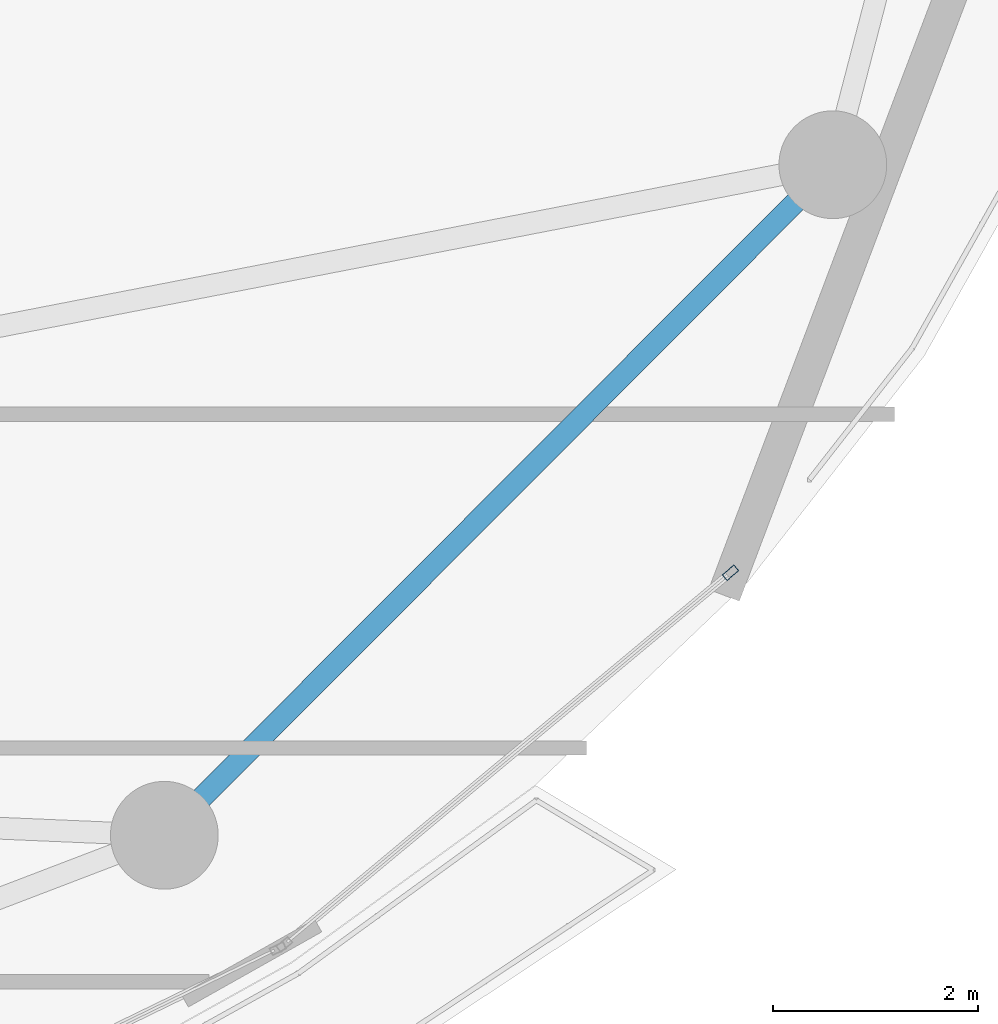
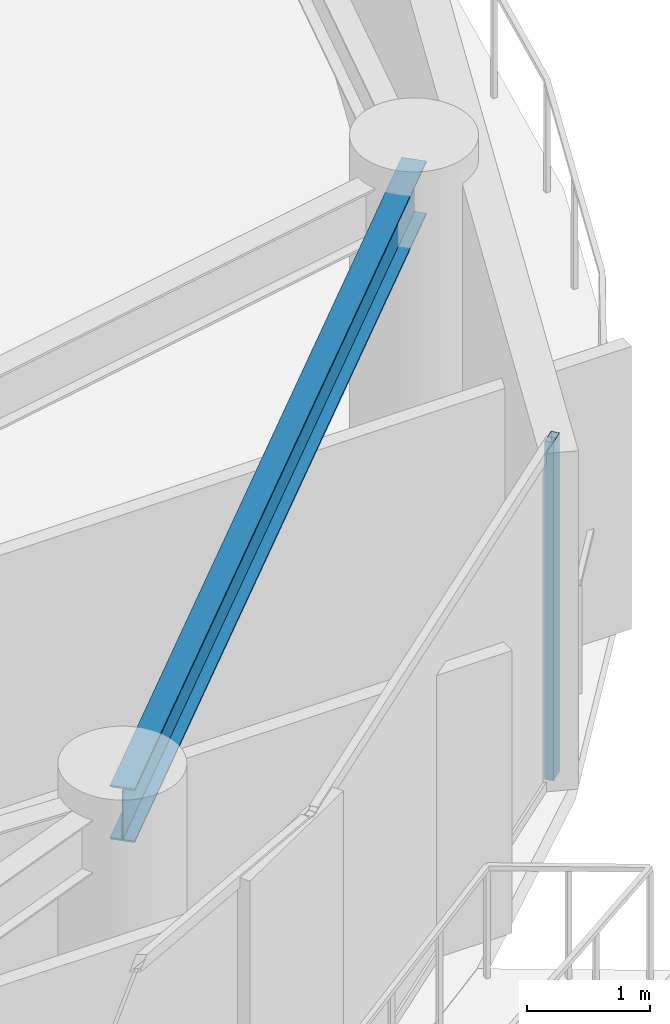
# One storey, part 13 of 29: 1 beam, 1 member, 1 element without a shape of its own.
"""IFC4 building model written with IfcOpenShell, lengths in metres."""

from ifc_helpers import new_model, si_unit, direction, frame, origin, origin_2d, place, context, subcontext, project, spatial, hollow_rectangle, i_section, extrude, material, layer, layer_set, material_profile, profile_set, type_object, element, aggregate, save


model = new_model("IFC4")

# Units and contexts
model_context = context("Model", 3, precision=1e-05, world=origin(), true_north=direction((0.0, 1.0)))
body_context = subcontext(model_context, "Body", "Model", "MODEL_VIEW")
ifc_project = project(units=[si_unit("LENGTHUNIT", "METRE"), si_unit("AREAUNIT", "SQUARE_METRE"), si_unit("VOLUMEUNIT", "CUBIC_METRE"), si_unit("PLANEANGLEUNIT", "RADIAN"), si_unit("MASSUNIT", "GRAM", prefix="KILO")], contexts=[model_context])

# Site, building, storey
site_placement = place(None, origin())
site = spatial("IfcSite", under=ifc_project, at=site_placement, CompositionType="ELEMENT")
building_placement = place(site_placement, origin())
building = spatial("IfcBuilding", under=site, at=building_placement, Name="Kazevale Care Tower and Concert Hall", CompositionType="ELEMENT")
storey_placement = place(building_placement, frame((0.0, 0.0, 213.60009765625)))
storey = spatial("IfcBuildingStorey", under=building, at=storey_placement, Name="L56", CompositionType="ELEMENT", Elevation=213.60009765625)

# Curtain wall, member
ifc_material_1 = material(Name="Aluminium 6063-T6 and Low-E Glass", Category="aluminium")
ifc_layer = layer(ifc_material_1, 0.179931640625)
ifc_layer_set = layer_set([ifc_layer], Name="Aluminium 6063-T6 and Low-E Glass")
curtain_wall_type = type_object("IfcCurtainWallType", Name="Sheltered Concave Balcony Curtain Wall CW-5", PredefinedType="NOTDEFINED", material=ifc_layer_set)
curtain_wall_placement = place(storey_placement, origin())
curtain_wall = element("IfcCurtainWall", 1, at=curtain_wall_placement, inside=storey, type_object=curtain_wall_type, Name="cw:L56:f02", PredefinedType="NOTDEFINED")
ifc_material_2 = material(Name="Aluminium 6063-T6", Category="aluminium")
ifc_material_profile_1 = material_profile(ifc_material_2, hollow_rectangle(XDim=0.074951171875, YDim=0.14990234375, WallThickness=0.00390625, at=origin_2d()), Name="ALU75x150x4")
ifc_profile_set_1 = profile_set([ifc_material_profile_1], Name="Aluminium 6063-T6")
member_type = type_object("IfcMemberType", Name="CW-5 Mullion ALU75x150x4", PredefinedType="MULLION", material=ifc_profile_set_1)
member_placement = place(storey_placement, frame((71.76318359375, 25.2060546875, 0.0), z_axis=(0.0, 0.0, 1.0), x_axis=(0.639961217204, -0.768407210062, 0.0)))
member = element("IfcMember", 2, at=member_placement, type_object=member_type, Name="CW-5 mullion 1", PredefinedType="MULLION", context=body_context, shape_type="SweptSolid", body=[
    extrude(hollow_rectangle(XDim=0.074951171875, YDim=0.14990234375, WallThickness=0.00390625, at=origin_2d()), origin(), (0.0, 0.0, 1.0), 3.35986328125),
])
aggregate(curtain_wall, [member])

# Beam
ifc_material_3 = material(Name="Steel ASTM A572 Gr 50", Category="steel")
ifc_material_profile_2 = material_profile(ifc_material_3, i_section(OverallWidth=0.208984375, OverallDepth=0.532958984375, WebThickness=0.01025390625, FlangeThickness=0.015625, at=origin_2d()), Name="W530x92")
ifc_profile_set_2 = profile_set([ifc_material_profile_2], Name="Steel ASTM A572 Gr 50")
beam_type = type_object("IfcBeamType", Name="Upper Ring Beam W530x92", PredefinedType="BEAM", material=ifc_profile_set_2)
beam_placement = place(storey_placement, frame((66.25, 22.64990234375, 3.093505859375), z_axis=(0.706020373708, 0.708191522054, 0.0), x_axis=(-0.708191522054, 0.706020373708, 0.0)))
element("IfcBeam", 3, at=beam_placement, inside=storey, type_object=beam_type, Name="beam:L56:ring:15", PredefinedType="BEAM", context=body_context, shape_type="SweptSolid", body=[
    extrude(i_section(OverallWidth=0.208984375, OverallDepth=0.532958984375, WebThickness=0.01025390625, FlangeThickness=0.015625, at=origin_2d()), origin(), (0.0, 0.0, 1.0), 9.220703125),
])

save(model, "model.ifc")
